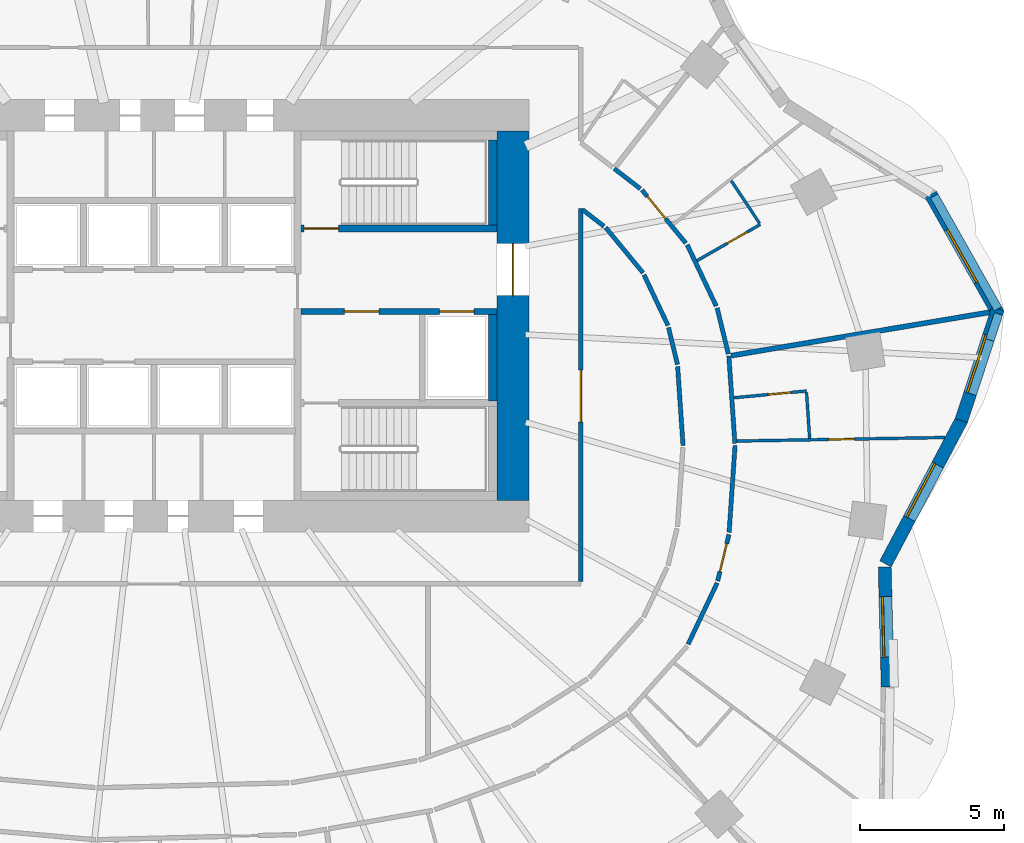
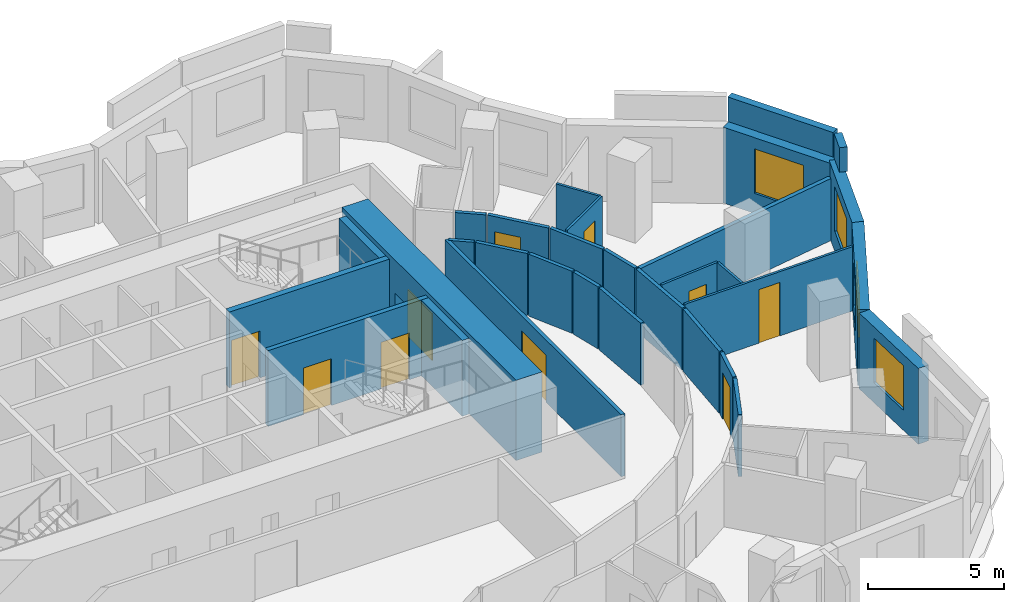
# One storey, part 7 of 11: 31 walls, 10 doors, 4 windows, 14 openings.
"""IFC4 building model written with IfcOpenShell, lengths in metres."""

from ifc_helpers import new_model, si_unit, direction, frame, frame_2d, origin, place, context, subcontext, project, spatial, rectangle, extrude, material, layer, layer_set, type_object, element, fill, save


model = new_model("IFC4")

# Units and contexts
model_context = context("Model", 3, precision=1e-05, world=origin(), true_north=direction((0.0, 1.0)))
body_context = subcontext(model_context, "Body", "Model", "MODEL_VIEW")
ifc_project = project(units=[si_unit("LENGTHUNIT", "METRE"), si_unit("AREAUNIT", "SQUARE_METRE"), si_unit("VOLUMEUNIT", "CUBIC_METRE"), si_unit("PLANEANGLEUNIT", "RADIAN"), si_unit("MASSUNIT", "GRAM", prefix="KILO")], contexts=[model_context])

# Site, building, storey
site_placement = place(None, origin())
site = spatial("IfcSite", under=ifc_project, at=site_placement, CompositionType="ELEMENT")
building_placement = place(site_placement, origin())
building = spatial("IfcBuilding", under=site, at=building_placement, Name="Rubra Terraces Tower", CompositionType="ELEMENT")
storey_placement = place(building_placement, frame((0.0, 0.0, 114.0)))
storey = spatial("IfcBuildingStorey", under=building, at=storey_placement, Name="L27", CompositionType="ELEMENT", Elevation=114.0)

# Wall
ifc_material_1 = material(Name="Twin plasterboard on staggered steel stud, acoustic mineral wool", Category="steel")
ifc_layer_1 = layer(ifc_material_1, 0.175048828125)
ifc_layer_set_1 = layer_set([ifc_layer_1], Name="Twin plasterboard on staggered steel stud, acoustic mineral wool")
wall_type_1 = type_object("IfcWallType", Name="ACOUSTIC PARTY WALL 175", PredefinedType="PARTITIONING", material=ifc_layer_set_1)
wall_1_placement = place(storey_placement, frame((28.982177734375, 4.61962890625, 0.0), z_axis=(0.0, 0.0, 1.0), x_axis=(-0.986212776012, -0.165482205785, 0.0)))
element("IfcWall", 1, at=wall_1_placement, inside=storey, type_object=wall_type_1, Name="PARTITION", PredefinedType="PARTITIONING", context=body_context, shape_type="SweptSolid", body=[
    extrude(rectangle(XDim=9.099853515625, YDim=0.175048828125, at=frame_2d((4.5498046875, 0.0))), origin(), (0.0, 0.0, 1.0), 2.783935546875),
])

# Wall, opening, window
ifc_material_2 = material(Name="Brick masonry red-brown", Category="masonry")
ifc_layer_2 = layer(ifc_material_2, 0.449951171875)
ifc_layer_set_2 = layer_set([ifc_layer_2], Name="Brick masonry red-brown")
wall_type_2 = type_object("IfcWallType", Name="Brick facade wall 450", PredefinedType="SOLIDWALL", material=ifc_layer_set_2)
wall_2_placement = place(storey_placement, frame((27.99462890625, 0.861083984375, 0.0), z_axis=(0.0, 0.0, 1.0), x_axis=(0.310693110673, 0.950510279261, 0.0)))
wall_2 = element("IfcWall", 2, at=wall_2_placement, inside=storey, type_object=wall_type_2, Name="Facade wall L27 bay 1", PredefinedType="SOLIDWALL", context=body_context, shape_type="SweptSolid", body=[
    extrude(rectangle(XDim=4.079833984375, YDim=0.449951171875, at=frame_2d((2.0400390625, 0.0))), origin(), (0.0, 0.0, 1.0), 3.39990234375),
])
opening_1_placement = place(wall_2_placement, frame((0.989990234375, 0.0, 0.89990234375)))
opening_1 = element("IfcOpeningElement", 3, at=opening_1_placement, cuts=wall_2, Name="Opening W1", PredefinedType="OPENING", context=body_context, shape_type="SweptSolid", body=[
    extrude(rectangle(XDim=2.10009765625, YDim=2.0, at=frame_2d((1.050048828125, 1.0))), frame((0.0, 0.23486328125, 0.0), z_axis=(0.0, -1.0, 0.0), x_axis=(1.0, 0.0, 0.0)), (0.0, 0.0, 1.0), 0.469970703125),
])
ifc_material_3 = material(Name="Clear glass in aluminium frame", Category="aluminium")
window_type = type_object("IfcWindowType", Name="Fixed deep-set window 2100 x 2000", PartitioningType="SINGLE_PANEL", PredefinedType="WINDOW", material=ifc_material_3)
window_1_placement = place(opening_1_placement, origin())
window_1 = element("IfcWindow", 4, at=window_1_placement, inside=storey, type_object=window_type, Name="Window L27 bay 1", OverallHeight=2.0, OverallWidth=2.10009765625, PartitioningType="SINGLE_PANEL", PredefinedType="WINDOW", context=body_context, shape_type="SweptSolid", body=[
    extrude(rectangle(XDim=2.10009765625, YDim=2.0, at=frame_2d((1.050048828125, 1.0))), frame((0.0, 0.135009765625, 0.0), z_axis=(0.0, -1.0, 0.0), x_axis=(1.0, 0.0, 0.0)), (0.0, 0.0, 1.0), 0.06005859375),
])
fill(opening_1, window_1)

wall_3_placement = place(storey_placement, frame((29.280029296875, 4.558349609375, 0.0), z_axis=(0.0, 0.0, 1.0), x_axis=(-0.491511608999, 0.870871022723, 0.0)))
wall_3 = element("IfcWall", 5, at=wall_3_placement, inside=storey, type_object=wall_type_2, Name="Facade wall L27 bay 2", PredefinedType="SOLIDWALL", context=body_context, shape_type="SweptSolid", body=[
    extrude(rectangle(XDim=4.762939453125, YDim=0.449951171875, at=frame_2d((2.38134765625, 0.0))), origin(), (0.0, 0.0, 1.0), 3.39990234375),
])
opening_2_placement = place(wall_3_placement, frame((1.33154296875, 0.0, 0.89990234375)))
opening_2 = element("IfcOpeningElement", 6, at=opening_2_placement, cuts=wall_3, Name="Opening W1", PredefinedType="OPENING", context=body_context, shape_type="SweptSolid", body=[
    extrude(rectangle(XDim=2.10009765625, YDim=2.0, at=frame_2d((1.050048828125, 1.0))), frame((0.0, 0.23486328125, 0.0), z_axis=(0.0, -1.0, 0.0), x_axis=(1.0, 0.0, 0.0)), (0.0, 0.0, 1.0), 0.469970703125),
])
window_2_placement = place(opening_2_placement, origin())
window_2 = element("IfcWindow", 7, at=window_2_placement, inside=storey, type_object=window_type, Name="Window L27 bay 2", OverallHeight=2.0, OverallWidth=2.10009765625, PartitioningType="SINGLE_PANEL", PredefinedType="WINDOW", context=body_context, shape_type="SweptSolid", body=[
    extrude(rectangle(XDim=2.10009765625, YDim=2.0, at=frame_2d((1.050048828125, 1.0))), frame((0.0, 0.135009765625, 0.0), z_axis=(0.0, -1.0, 0.0), x_axis=(1.0, 0.0, 0.0)), (0.0, 0.0, 1.0), 0.06005859375),
])
fill(opening_2, window_2)

wall_4_placement = place(storey_placement, frame((25.44091796875, -8.375, 0.0), z_axis=(0.0, 0.0, 1.0), x_axis=(-0.024385850259, 0.999702620936, 0.0)))
wall_4 = element("IfcWall", 8, at=wall_4_placement, inside=storey, type_object=wall_type_2, Name="Facade wall L27 bay 39", PredefinedType="SOLIDWALL", context=body_context, shape_type="SweptSolid", body=[
    extrude(rectangle(XDim=4.164794921875, YDim=0.449951171875, at=frame_2d((2.08251953125, 0.0))), origin(), (0.0, 0.0, 1.0), 3.39990234375),
])
opening_3_placement = place(wall_4_placement, frame((1.032470703125, 0.0, 0.89990234375)))
opening_3 = element("IfcOpeningElement", 9, at=opening_3_placement, cuts=wall_4, Name="Opening W1", PredefinedType="OPENING", context=body_context, shape_type="SweptSolid", body=[
    extrude(rectangle(XDim=2.10009765625, YDim=2.0, at=frame_2d((1.050048828125, 1.0))), frame((0.0, 0.23486328125, 0.0), z_axis=(0.0, -1.0, 0.0), x_axis=(1.0, 0.0, 0.0)), (0.0, 0.0, 1.0), 0.469970703125),
])
window_3_placement = place(opening_3_placement, origin())
window_3 = element("IfcWindow", 10, at=window_3_placement, inside=storey, type_object=window_type, Name="Window L27 bay 39", OverallHeight=2.0, OverallWidth=2.10009765625, PartitioningType="SINGLE_PANEL", PredefinedType="WINDOW", context=body_context, shape_type="SweptSolid", body=[
    extrude(rectangle(XDim=2.10009765625, YDim=2.0, at=frame_2d((1.050048828125, 1.0))), frame((0.0, 0.135009765625, 0.0), z_axis=(0.0, -1.0, 0.0), x_axis=(1.0, 0.0, 0.0)), (0.0, 0.0, 1.0), 0.06005859375),
])
fill(opening_3, window_3)

wall_5_placement = place(storey_placement, frame((25.365478515625, -4.10693359375, 0.0), z_axis=(0.0, 0.0, 1.0), x_axis=(0.467239399168, 0.884130840919, 0.0)))
wall_5 = element("IfcWall", 11, at=wall_5_placement, inside=storey, type_object=wall_type_2, Name="Facade wall L27 bay 40", PredefinedType="SOLIDWALL", context=body_context, shape_type="SweptSolid", body=[
    extrude(rectangle(XDim=5.658935546875, YDim=0.449951171875, at=frame_2d((2.82958984375, 0.0))), origin(), (0.0, 0.0, 1.0), 3.39990234375),
])
opening_4_placement = place(wall_5_placement, frame((1.779296875, 0.0, 0.89990234375)))
opening_4 = element("IfcOpeningElement", 12, at=opening_4_placement, cuts=wall_5, Name="Opening W1", PredefinedType="OPENING", context=body_context, shape_type="SweptSolid", body=[
    extrude(rectangle(XDim=2.10009765625, YDim=2.0, at=frame_2d((1.050048828125, 1.0))), frame((0.0, 0.23486328125, 0.0), z_axis=(0.0, -1.0, 0.0), x_axis=(1.0, 0.0, 0.0)), (0.0, 0.0, 1.0), 0.469970703125),
])
window_4_placement = place(opening_4_placement, origin())
window_4 = element("IfcWindow", 13, at=window_4_placement, inside=storey, type_object=window_type, Name="Window L27 bay 40", OverallHeight=2.0, OverallWidth=2.10009765625, PartitioningType="SINGLE_PANEL", PredefinedType="WINDOW", context=body_context, shape_type="SweptSolid", body=[
    extrude(rectangle(XDim=2.10009765625, YDim=2.0, at=frame_2d((1.050048828125, 1.0))), frame((0.0, 0.135009765625, 0.0), z_axis=(0.0, -1.0, 0.0), x_axis=(1.0, 0.0, 0.0)), (0.0, 0.0, 1.0), 0.06005859375),
])
fill(opening_4, window_4)

# Walls
ifc_layer_3 = layer(ifc_material_2, 0.300048828125)
ifc_layer_set_3 = layer_set([ifc_layer_3], Name="Brick masonry red-brown")
wall_type_3 = type_object("IfcWallType", Name="Brick parapet 300", PredefinedType="PARAPET", material=ifc_layer_set_3)
wall_6_placement = place(storey_placement, frame((28.987548828125, 3.657470703125, 3.60009765625), z_axis=(0.0, 0.0, 1.0), x_axis=(0.310832502734, 0.950464704891, 0.0)))
element("IfcWall", 14, at=wall_6_placement, inside=storey, type_object=wall_type_3, Name="Parapet L27 bay 1", PredefinedType="PARAPET", context=body_context, shape_type="SweptSolid", body=[
    extrude(rectangle(XDim=0.951171875, YDim=0.300048828125, at=frame_2d((0.4755859375, 0.0))), origin(), (0.0, 0.0, 1.0), 1.099853515625),
])
wall_7_placement = place(storey_placement, frame((29.265625, 4.736572265625, 3.60009765625), z_axis=(0.0, 0.0, 1.0), x_axis=(-0.491480740547, 0.870888443873, 0.0)))
element("IfcWall", 15, at=wall_7_placement, inside=storey, type_object=wall_type_3, Name="Parapet L27 bay 2", PredefinedType="PARAPET", context=body_context, shape_type="SweptSolid", body=[
    extrude(rectangle(XDim=4.494140625, YDim=0.300048828125, at=frame_2d((2.2470703125, 0.0))), origin(), (0.0, 0.0, 1.0), 1.099853515625),
])

# Wall, opening, door
ifc_material_4 = material(Name="Concrete C60", Category="concrete")
ifc_layer_4 = layer(ifc_material_4, 1.10009765625)
ifc_layer_set_4 = layer_set([ifc_layer_4], Name="Concrete C60")
wall_type_4 = type_object("IfcWallType", Name="CORE WALL 1100 C60", PredefinedType="SHEAR", material=ifc_layer_set_4)
wall_8_placement = place(storey_placement, frame((12.449951171875, -1.89990234375, 0.0), z_axis=(0.0, 0.0, 1.0), x_axis=(0.0, 1.0, 0.0)))
wall_8 = element("IfcWall", 16, at=wall_8_placement, inside=storey, type_object=wall_type_4, Name="CORE WALL E L27", PredefinedType="SHEAR", context=body_context, shape_type="SweptSolid", body=[
    extrude(rectangle(XDim=12.7998046875, YDim=1.10009765625, at=frame_2d((6.39990234375, 0.0))), origin(), (0.0, 0.0, 1.0), 3.60009765625),
])
opening_5_placement = place(wall_8_placement, frame((7.10009765625, 0.0, 0.0)))
opening_5 = element("IfcOpeningElement", 17, at=opening_5_placement, cuts=wall_8, Name="Opening L27.C02", PredefinedType="OPENING", context=body_context, shape_type="SweptSolid", body=[
    extrude(rectangle(XDim=1.800048828125, YDim=2.10009765625, at=frame_2d((0.89990234375, 1.050048828125))), frame((0.0, 0.56005859375, 0.0), z_axis=(0.0, -1.0, 0.0), x_axis=(1.0, 0.0, 0.0)), (0.0, 0.0, 1.0), 1.1201171875),
])
ifc_material_5 = material(Name="Painted steel", Category="steel")
door_type_1 = type_object("IfcDoorType", Name="Fire door 1800x2100 double", OperationType="NOTDEFINED", PredefinedType="DOOR", material=ifc_material_5)
door_1_placement = place(opening_5_placement, origin())
door_1 = element("IfcDoor", 18, at=door_1_placement, inside=storey, type_object=door_type_1, Name="Core entrance door FF2", OperationType="DOUBLE_DOOR_SINGLE_SWING", OverallHeight=2.10009765625, OverallWidth=1.800048828125, PredefinedType="DOOR", context=body_context, shape_type="SweptSolid", body=[
    extrude(rectangle(XDim=1.800048828125, YDim=2.10009765625, at=frame_2d((0.89990234375, 1.050048828125))), frame((0.0, 0.02490234375, 0.0), z_axis=(0.0, -1.0, 0.0), x_axis=(1.0, 0.0, 0.0)), (0.0, 0.0, 1.0), 0.050048828125),
])
fill(opening_5, door_1)

# Wall
ifc_material_6 = material(Name="Plasterboard on steel stud, mineral wool infill", Category="steel")
ifc_layer_5 = layer(ifc_material_6, 0.14990234375)
ifc_layer_set_5 = layer_set([ifc_layer_5], Name="Plasterboard on steel stud, mineral wool infill")
wall_type_5 = type_object("IfcWallType", Name="CORRIDOR PARTITION 150", PredefinedType="PARTITIONING", material=ifc_layer_set_5)
wall_9_placement = place(storey_placement, frame((18.521728515625, -6.891357421875, 0.0), z_axis=(0.0, 0.0, 1.0), x_axis=(0.428157819028, 0.903703979191, 0.0)))
element("IfcWall", 19, at=wall_9_placement, inside=storey, type_object=wall_type_5, Name="PARTITION", PredefinedType="PARTITIONING", context=body_context, shape_type="SweptSolid", body=[
    extrude(rectangle(XDim=2.349365234375, YDim=0.14990234375, at=frame_2d((1.1748046875, 0.0))), origin(), (0.0, 0.0, 1.0), 2.783935546875),
])

# Wall, opening, door
wall_10_placement = place(storey_placement, frame((19.54541015625, -4.695556640625, 0.0), z_axis=(0.0, 0.0, 1.0), x_axis=(0.23674251562, 0.971572427201, 0.0)))
wall_10 = element("IfcWall", 20, at=wall_10_placement, inside=storey, type_object=wall_type_5, Name="PARTITION", PredefinedType="PARTITIONING", context=body_context, shape_type="SweptSolid", body=[
    extrude(rectangle(XDim=1.6572265625, YDim=0.14990234375, at=frame_2d((0.82861328125, 0.0))), origin(), (0.0, 0.0, 1.0), 2.783935546875),
])
opening_6_placement = place(wall_10_placement, frame((0.327880859375, 0.0, 0.0)))
opening_6 = element("IfcOpeningElement", 21, at=opening_6_placement, cuts=wall_10, Name="Opening 27-111", PredefinedType="OPENING", context=body_context, shape_type="SweptSolid", body=[
    extrude(rectangle(XDim=1.0, YDim=2.10009765625, at=frame_2d((0.5, 1.050048828125))), frame((0.0, 0.0849609375, 0.0), z_axis=(0.0, -1.0, 0.0), x_axis=(1.0, 0.0, 0.0)), (0.0, 0.0, 1.0), 0.169921875),
])
ifc_material_7 = material(Name="Painted timber door leaf", Category="wood")
door_type_2 = type_object("IfcDoorType", Name="ROOM DOOR 1000 X 2100", OperationType="SINGLE_SWING_LEFT", PredefinedType="DOOR", material=ifc_material_7)
door_2_placement = place(opening_6_placement, origin())
door_2 = element("IfcDoor", 22, at=door_2_placement, inside=storey, type_object=door_type_2, Name="DOOR 27-111", OperationType="SINGLE_SWING_RIGHT", OverallHeight=2.10009765625, OverallWidth=1.0, PredefinedType="DOOR", context=body_context, shape_type="SweptSolid", body=[
    extrude(rectangle(XDim=1.0, YDim=2.10009765625, at=frame_2d((0.5, 1.050048828125))), frame((0.0, 0.02490234375, 0.0), z_axis=(0.0, -1.0, 0.0), x_axis=(1.0, 0.0, 0.0)), (0.0, 0.0, 1.0), 0.050048828125),
])
fill(opening_6, door_2)

# Walls
wall_11_placement = place(storey_placement, frame((19.94287109375, -3.0107421875, 0.0), z_axis=(0.0, 0.0, 1.0), x_axis=(0.068280105787, 0.997666190243, 0.0)))
element("IfcWall", 23, at=wall_11_placement, inside=storey, type_object=wall_type_5, Name="PARTITION", PredefinedType="PARTITIONING", context=body_context, shape_type="SweptSolid", body=[
    extrude(rectangle(XDim=3.017822265625, YDim=0.14990234375, at=frame_2d((1.5087890625, 0.0))), origin(), (0.0, 0.0, 1.0), 2.783935546875),
])
wall_12_placement = place(storey_placement, frame((20.143798828125, 0.07470703125, 0.0), z_axis=(0.0, 0.0, 1.0), x_axis=(-0.069205299479, 0.997602439113, 0.0)))
element("IfcWall", 24, at=wall_12_placement, inside=storey, type_object=wall_type_5, Name="PARTITION", PredefinedType="PARTITIONING", context=body_context, shape_type="SweptSolid", body=[
    extrude(rectangle(XDim=3.033935546875, YDim=0.14990234375, at=frame_2d((1.51708984375, 0.0))), origin(), (0.0, 0.0, 1.0), 2.783935546875),
])
wall_13_placement = place(storey_placement, frame((19.916015625, 3.17431640625, 0.0), z_axis=(0.0, 0.0, 1.0), x_axis=(-0.236754059757, 0.971569614175, 0.0)))
element("IfcWall", 25, at=wall_13_placement, inside=storey, type_object=wall_type_5, Name="PARTITION", PredefinedType="PARTITIONING", context=body_context, shape_type="SweptSolid", body=[
    extrude(rectangle(XDim=1.640625, YDim=0.14990234375, at=frame_2d((0.8203125, 0.0))), origin(), (0.0, 0.0, 1.0), 2.783935546875),
])
wall_14_placement = place(storey_placement, frame((19.495361328125, 4.836181640625, 0.0), z_axis=(0.0, 0.0, 1.0), x_axis=(-0.428157819028, 0.903703979191, 0.0)))
element("IfcWall", 26, at=wall_14_placement, inside=storey, type_object=wall_type_5, Name="PARTITION", PredefinedType="PARTITIONING", context=body_context, shape_type="SweptSolid", body=[
    extrude(rectangle(XDim=2.349365234375, YDim=0.14990234375, at=frame_2d((1.1748046875, 0.0))), origin(), (0.0, 0.0, 1.0), 2.783935546875),
])

# Wall, opening, door
wall_15_placement = place(storey_placement, frame((18.44189453125, 7.01708984375, 0.0), z_axis=(0.0, 0.0, 1.0), x_axis=(-0.636538018119, 0.7712453251, 0.0)))
wall_15 = element("IfcWall", 27, at=wall_15_placement, inside=storey, type_object=wall_type_5, Name="PARTITION", PredefinedType="PARTITIONING", context=body_context, shape_type="SweptSolid", body=[
    extrude(rectangle(XDim=2.388671875, YDim=0.14990234375, at=frame_2d((1.1943359375, 0.0))), origin(), (0.0, 0.0, 1.0), 2.783935546875),
])
opening_7_placement = place(wall_15_placement, frame((1.10009765625, 0.0, 0.0)))
opening_7 = element("IfcOpeningElement", 28, at=opening_7_placement, cuts=wall_15, Name="Opening 27-114", PredefinedType="OPENING", context=body_context, shape_type="SweptSolid", body=[
    extrude(rectangle(XDim=1.0, YDim=2.10009765625, at=frame_2d((0.5, 1.050048828125))), frame((0.0, 0.0849609375, 0.0), z_axis=(0.0, -1.0, 0.0), x_axis=(1.0, 0.0, 0.0)), (0.0, 0.0, 1.0), 0.169921875),
])
door_3_placement = place(opening_7_placement, origin())
door_3 = element("IfcDoor", 29, at=door_3_placement, inside=storey, type_object=door_type_2, Name="DOOR 27-114", OperationType="SINGLE_SWING_RIGHT", OverallHeight=2.10009765625, OverallWidth=1.0, PredefinedType="DOOR", context=body_context, shape_type="SweptSolid", body=[
    extrude(rectangle(XDim=1.0, YDim=2.10009765625, at=frame_2d((0.5, 1.050048828125))), frame((0.0, 0.02490234375, 0.0), z_axis=(0.0, -1.0, 0.0), x_axis=(1.0, 0.0, 0.0)), (0.0, 0.0, 1.0), 0.050048828125),
])
fill(opening_7, door_3)

# Walls
wall_16_placement = place(storey_placement, frame((16.86181640625, 8.905029296875, 0.0), z_axis=(0.0, 0.0, 1.0), x_axis=(-0.791557659363, 0.611094486888, 0.0)))
element("IfcWall", 30, at=wall_16_placement, inside=storey, type_object=wall_type_5, Name="PARTITION", PredefinedType="PARTITIONING", context=body_context, shape_type="SweptSolid", body=[
    extrude(rectangle(XDim=1.141845703125, YDim=0.14990234375, at=frame_2d((0.57080078125, 0.0))), origin(), (0.0, 0.0, 1.0), 2.783935546875),
])
wall_17_placement = place(storey_placement, frame((15.66162109375, 7.557861328125, 0.0), z_axis=(0.0, 0.0, 1.0), x_axis=(0.636500564941, -0.7712762351, 0.0)))
element("IfcWall", 31, at=wall_17_placement, inside=storey, type_object=wall_type_5, Name="PARTITION", PredefinedType="PARTITIONING", context=body_context, shape_type="SweptSolid", body=[
    extrude(rectangle(XDim=2.037841796875, YDim=0.14990234375, at=frame_2d((1.01904296875, 0.0))), origin(), (0.0, 0.0, 1.0), 2.783935546875),
])
wall_18_placement = place(storey_placement, frame((16.990966796875, 5.918212890625, 0.0), z_axis=(0.0, 0.0, 1.0), x_axis=(0.428199863362, -0.903684058185, 0.0)))
element("IfcWall", 32, at=wall_18_placement, inside=storey, type_object=wall_type_5, Name="PARTITION", PredefinedType="PARTITIONING", context=body_context, shape_type="SweptSolid", body=[
    extrude(rectangle(XDim=1.94140625, YDim=0.14990234375, at=frame_2d((0.970703125, 0.0))), origin(), (0.0, 0.0, 1.0), 2.783935546875),
])
wall_19_placement = place(storey_placement, frame((17.840087890625, 4.0908203125, 0.0), z_axis=(0.0, 0.0, 1.0), x_axis=(0.236653741324, -0.971594054489, 0.0)))
element("IfcWall", 33, at=wall_19_placement, inside=storey, type_object=wall_type_5, Name="PARTITION", PredefinedType="PARTITIONING", context=body_context, shape_type="SweptSolid", body=[
    extrude(rectangle(XDim=1.319580078125, YDim=0.14990234375, at=frame_2d((0.65966796875, 0.0))), origin(), (0.0, 0.0, 1.0), 2.783935546875),
])
wall_20_placement = place(storey_placement, frame((18.157470703125, 2.734130859375, 0.0), z_axis=(0.0, 0.0, 1.0), x_axis=(0.068328193832, -0.997662897941, 0.0)))
element("IfcWall", 34, at=wall_20_placement, inside=storey, type_object=wall_type_5, Name="PARTITION", PredefinedType="PARTITIONING", context=body_context, shape_type="SweptSolid", body=[
    extrude(rectangle(XDim=2.740478515625, YDim=0.14990234375, at=frame_2d((1.3701171875, 0.0))), origin(), (0.0, 0.0, 1.0), 2.783935546875),
])

# Wall, opening, door
wall_21_placement = place(storey_placement, frame((14.800048828125, -4.72509765625, 0.0), z_axis=(0.0, 0.0, 1.0), x_axis=(0.0, 1.0, 0.0)))
wall_21 = element("IfcWall", 35, at=wall_21_placement, inside=storey, type_object=wall_type_5, Name="PARTITION", PredefinedType="PARTITIONING", context=body_context, shape_type="SweptSolid", body=[
    extrude(rectangle(XDim=12.947998046875, YDim=0.14990234375, at=frame_2d((6.47412109375, 0.0))), origin(), (0.0, 0.0, 1.0), 2.783935546875),
])
opening_8_placement = place(wall_21_placement, frame((5.535888671875, 0.0, 0.0)))
opening_8 = element("IfcOpeningElement", 36, at=opening_8_placement, cuts=wall_21, Name="Opening 27-136", PredefinedType="OPENING", context=body_context, shape_type="SweptSolid", body=[
    extrude(rectangle(XDim=1.800048828125, YDim=2.10009765625, at=frame_2d((0.89990234375, 1.050048828125))), frame((0.0, 0.0849609375, 0.0), z_axis=(0.0, -1.0, 0.0), x_axis=(1.0, 0.0, 0.0)), (0.0, 0.0, 1.0), 0.169921875),
])
ifc_material_8 = material(Name="Painted timber door leaf, double", Category="wood")
door_type_3 = type_object("IfcDoorType", Name="ROOM DOUBLE DOOR 1800 X 2100", OperationType="DOUBLE_DOOR_SINGLE_SWING", PredefinedType="DOOR", material=ifc_material_8)
door_4_placement = place(opening_8_placement, origin())
door_4 = element("IfcDoor", 37, at=door_4_placement, inside=storey, type_object=door_type_3, Name="DOOR 27-136", OperationType="DOUBLE_DOOR_SINGLE_SWING", OverallHeight=2.10009765625, OverallWidth=1.800048828125, PredefinedType="DOOR", context=body_context, shape_type="SweptSolid", body=[
    extrude(rectangle(XDim=1.800048828125, YDim=2.10009765625, at=frame_2d((0.89990234375, 1.050048828125))), frame((0.0, 0.02490234375, 0.0), z_axis=(0.0, -1.0, 0.0), x_axis=(1.0, 0.0, 0.0)), (0.0, 0.0, 1.0), 0.050048828125),
])
fill(opening_8, door_4)

# Walls
wall_22_placement = place(storey_placement, frame((14.859375, 8.177001953125, 0.0), z_axis=(0.0, 0.0, 1.0), x_axis=(0.791588113465, -0.611055037309, 0.0)))
element("IfcWall", 38, at=wall_22_placement, inside=storey, type_object=wall_type_5, Name="PARTITION", PredefinedType="PARTITIONING", context=body_context, shape_type="SweptSolid", body=[
    extrude(rectangle(XDim=0.9384765625, YDim=0.14990234375, at=frame_2d((0.46923828125, 0.0))), origin(), (0.0, 0.0, 1.0), 2.783935546875),
])
ifc_material_9 = material(Name="Concrete C40", Category="concrete")
ifc_layer_6 = layer(ifc_material_9, 0.300048828125)
ifc_layer_set_6 = layer_set([ifc_layer_6], Name="Concrete C40")
wall_type_6 = type_object("IfcWallType", Name="Core lining wall 300 concrete", PredefinedType="SOLIDWALL", material=ifc_layer_set_6)
wall_23_placement = place(storey_placement, frame((11.75, 10.60009765625, 0.0), z_axis=(0.0, 0.0, 1.0), x_axis=(0.0, -1.0, 0.0)))
element("IfcWall", 39, at=wall_23_placement, inside=storey, type_object=wall_type_6, Name="CORE LINING WALL L27", PredefinedType="SOLIDWALL", context=body_context, shape_type="SweptSolid", body=[
    extrude(rectangle(XDim=2.9501953125, YDim=0.300048828125, at=frame_2d((1.47509765625, 0.0))), origin(), (0.0, 0.0, 1.0), 3.39990234375),
])
wall_24_placement = place(storey_placement, frame((11.75, 4.550048828125, 0.0), z_axis=(0.0, 0.0, 1.0), x_axis=(0.0, -1.0, 0.0)))
element("IfcWall", 40, at=wall_24_placement, inside=storey, type_object=wall_type_6, Name="CORE LINING WALL L27", PredefinedType="SOLIDWALL", context=body_context, shape_type="SweptSolid", body=[
    extrude(rectangle(XDim=3.0, YDim=0.300048828125, at=frame_2d((1.5, 0.0))), origin(), (0.0, 0.0, 1.0), 3.39990234375),
])

# Wall, openings, doors
ifc_material_10 = material(Name="Concrete C30", Category="concrete")
ifc_layer_7 = layer(ifc_material_10, 0.199951171875)
ifc_layer_set_7 = layer_set([ifc_layer_7], Name="Concrete C30")
wall_type_7 = type_object("IfcWallType", Name="Core wall 200 concrete", PredefinedType="SOLIDWALL", material=ifc_layer_set_7)
wall_25_placement = place(storey_placement, frame((11.89990234375, 4.64990234375, 0.0), z_axis=(0.0, 0.0, 1.0), x_axis=(-1.0, 0.0, 0.0)))
wall_25 = element("IfcWall", 41, at=wall_25_placement, inside=storey, type_object=wall_type_7, Name="STAIR WALL L27", PredefinedType="SOLIDWALL", context=body_context, shape_type="SweptSolid", body=[
    extrude(rectangle(XDim=6.7998046875, YDim=0.199951171875, at=frame_2d((3.39990234375, 0.0))), origin(), (0.0, 0.0, 1.0), 3.39990234375),
])
opening_9_placement = place(wall_25_placement, frame((4.10009765625, 0.0, 0.0)))
opening_9 = element("IfcOpeningElement", 42, at=opening_9_placement, cuts=wall_25, Name="Opening L27.C06", PredefinedType="OPENING", context=body_context, shape_type="SweptSolid", body=[
    extrude(rectangle(XDim=1.199951171875, YDim=2.10009765625, at=frame_2d((0.60009765625, 1.050048828125))), frame((0.0, 0.10986328125, 0.0), z_axis=(0.0, -1.0, 0.0), x_axis=(1.0, 0.0, 0.0)), (0.0, 0.0, 1.0), 0.219970703125),
])
opening_10_placement = place(wall_25_placement, frame((0.800048828125, 0.0, 0.0)))
opening_10 = element("IfcOpeningElement", 43, at=opening_10_placement, cuts=wall_25, Name="Opening L27.C12", PredefinedType="OPENING", context=body_context, shape_type="SweptSolid", body=[
    extrude(rectangle(XDim=1.199951171875, YDim=2.10009765625, at=frame_2d((0.60009765625, 1.050048828125))), frame((0.0, 0.10986328125, 0.0), z_axis=(0.0, -1.0, 0.0), x_axis=(1.0, 0.0, 0.0)), (0.0, 0.0, 1.0), 0.219970703125),
])
door_type_4 = type_object("IfcDoorType", Name="Fire door 1200x2100 single", OperationType="NOTDEFINED", PredefinedType="DOOR", material=ifc_material_5)
door_5_placement = place(opening_9_placement, origin())
door_5 = element("IfcDoor", 44, at=door_5_placement, inside=storey, type_object=door_type_4, Name="Stair vestibule door S4", OperationType="SINGLE_SWING_RIGHT", OverallHeight=2.10009765625, OverallWidth=1.199951171875, PredefinedType="DOOR", context=body_context, shape_type="SweptSolid", body=[
    extrude(rectangle(XDim=1.199951171875, YDim=2.10009765625, at=frame_2d((0.60009765625, 1.050048828125))), frame((0.0, 0.02490234375, 0.0), z_axis=(0.0, -1.0, 0.0), x_axis=(1.0, 0.0, 0.0)), (0.0, 0.0, 1.0), 0.050048828125),
])
fill(opening_9, door_5)
ifc_material_11 = material(Name="Stainless steel", Category="steel")
door_type_5 = type_object("IfcDoorType", Name="Lift landing door 1200x2100", OperationType="NOTDEFINED", PredefinedType="DOOR", material=ifc_material_11)
door_6_placement = place(opening_10_placement, origin())
door_6 = element("IfcDoor", 45, at=door_6_placement, inside=storey, type_object=door_type_5, Name="Landing door FF2", OperationType="SLIDING_TO_RIGHT", OverallHeight=2.10009765625, OverallWidth=1.199951171875, PredefinedType="DOOR", context=body_context, shape_type="SweptSolid", body=[
    extrude(rectangle(XDim=1.199951171875, YDim=2.10009765625, at=frame_2d((0.60009765625, 1.050048828125))), frame((0.0, 0.02490234375, 0.0), z_axis=(0.0, -1.0, 0.0), x_axis=(1.0, 0.0, 0.0)), (0.0, 0.0, 1.0), 0.050048828125),
])
fill(opening_10, door_6)

# Wall, opening, door
ifc_material_12 = material(Name="Plasterboard on steel stud", Category="steel")
ifc_layer_8 = layer(ifc_material_12, 0.10009765625)
ifc_layer_set_8 = layer_set([ifc_layer_8], Name="Plasterboard on steel stud")
wall_type_8 = type_object("IfcWallType", Name="ROOM PARTITION 100", PredefinedType="PARTITIONING", material=ifc_layer_set_8)
wall_26_placement = place(storey_placement, frame((27.4228515625, 0.276123046875, 0.0), z_axis=(0.0, 0.0, 1.0), x_axis=(-0.999854383927, -0.01706490381, 0.0)))
wall_26 = element("IfcWall", 46, at=wall_26_placement, inside=storey, type_object=wall_type_8, Name="PARTITION", PredefinedType="PARTITIONING", context=body_context, shape_type="SweptSolid", body=[
    extrude(rectangle(XDim=7.21044921875, YDim=0.10009765625, at=frame_2d((3.605224609375, 0.0))), origin(), (0.0, 0.0, 1.0), 2.884033203125),
])
opening_11_placement = place(wall_26_placement, frame((3.135986328125, 0.0, 0.0)))
opening_11 = element("IfcOpeningElement", 47, at=opening_11_placement, cuts=wall_26, Name="Opening 27-110", PredefinedType="OPENING", context=body_context, shape_type="SweptSolid", body=[
    extrude(rectangle(XDim=0.89990234375, YDim=2.39990234375, at=frame_2d((0.449951171875, 1.199951171875))), frame((0.0, 0.06005859375, 0.0), z_axis=(0.0, -1.0, 0.0), x_axis=(1.0, 0.0, 0.0)), (0.0, 0.0, 1.0), 0.1201171875),
])
ifc_material_13 = material(Name="Veneered timber door leaf, fire-rated", Category="wood")
door_type_6 = type_object("IfcDoorType", Name="SUITE ENTRANCE DOOR 900 X 2400", OperationType="SINGLE_SWING_LEFT", PredefinedType="DOOR", material=ifc_material_13)
door_7_placement = place(opening_11_placement, origin())
door_7 = element("IfcDoor", 48, at=door_7_placement, inside=storey, type_object=door_type_6, Name="DOOR 27-110", OperationType="SINGLE_SWING_LEFT", OverallHeight=2.39990234375, OverallWidth=0.89990234375, PredefinedType="DOOR", context=body_context, shape_type="SweptSolid", body=[
    extrude(rectangle(XDim=0.89990234375, YDim=2.39990234375, at=frame_2d((0.449951171875, 1.199951171875))), frame((0.0, 0.02490234375, 0.0), z_axis=(0.0, -1.0, 0.0), x_axis=(1.0, 0.0, 0.0)), (0.0, 0.0, 1.0), 0.050048828125),
])
fill(opening_11, door_7)

wall_27_placement = place(storey_placement, frame((20.11083984375, 1.655029296875, 0.0), z_axis=(0.0, 0.0, 1.0), x_axis=(0.995700801231, 0.092627827499, 0.0)))
wall_27 = element("IfcWall", 49, at=wall_27_placement, inside=storey, type_object=wall_type_8, Name="PARTITION", PredefinedType="PARTITIONING", context=body_context, shape_type="SweptSolid", body=[
    extrude(rectangle(XDim=2.52490234375, YDim=0.10009765625, at=frame_2d((1.262451171875, 0.0))), origin(), (0.0, 0.0, 1.0), 2.884033203125),
])
opening_12_placement = place(wall_27_placement, frame((1.199951171875, 0.0, 0.0)))
opening_12 = element("IfcOpeningElement", 50, at=opening_12_placement, cuts=wall_27, Name="Opening 27-108", PredefinedType="OPENING", context=body_context, shape_type="SweptSolid", body=[
    extrude(rectangle(XDim=0.800048828125, YDim=2.10009765625, at=frame_2d((0.39990234375, 1.050048828125))), frame((0.0, 0.06005859375, 0.0), z_axis=(0.0, -1.0, 0.0), x_axis=(1.0, 0.0, 0.0)), (0.0, 0.0, 1.0), 0.1201171875),
])
door_type_7 = type_object("IfcDoorType", Name="BATHROOM DOOR 800 X 2100", OperationType="SINGLE_SWING_LEFT", PredefinedType="DOOR", material=ifc_material_7)
door_8_placement = place(opening_12_placement, origin())
door_8 = element("IfcDoor", 51, at=door_8_placement, inside=storey, type_object=door_type_7, Name="DOOR 27-108", OperationType="SINGLE_SWING_LEFT", OverallHeight=2.10009765625, OverallWidth=0.800048828125, PredefinedType="DOOR", context=body_context, shape_type="SweptSolid", body=[
    extrude(rectangle(XDim=0.800048828125, YDim=2.10009765625, at=frame_2d((0.39990234375, 1.050048828125))), frame((0.0, 0.02490234375, 0.0), z_axis=(0.0, -1.0, 0.0), x_axis=(1.0, 0.0, 0.0)), (0.0, 0.0, 1.0), 0.050048828125),
])
fill(opening_12, door_8)

# Wall
wall_28_placement = place(storey_placement, frame((22.628173828125, 1.839111328125, 0.0), z_axis=(0.0, 0.0, 1.0), x_axis=(0.066823482499, -0.997764813063, 0.0)))
element("IfcWall", 52, at=wall_28_placement, inside=storey, type_object=wall_type_8, Name="PARTITION", PredefinedType="PARTITIONING", context=body_context, shape_type="SweptSolid", body=[
    extrude(rectangle(XDim=1.5966796875, YDim=0.10009765625, at=frame_2d((0.79833984375, 0.0))), origin(), (0.0, 0.0, 1.0), 2.884033203125),
])

# Wall, opening, door
wall_29_placement = place(storey_placement, frame((18.83203125, 6.410888671875, 0.0), z_axis=(0.0, 0.0, 1.0), x_axis=(0.868153878404, 0.496295117256, 0.0)))
wall_29 = element("IfcWall", 53, at=wall_29_placement, inside=storey, type_object=wall_type_8, Name="PARTITION", PredefinedType="PARTITIONING", context=body_context, shape_type="SweptSolid", body=[
    extrude(rectangle(XDim=2.525146484375, YDim=0.10009765625, at=frame_2d((1.2626953125, 0.0))), origin(), (0.0, 0.0, 1.0), 2.884033203125),
])
opening_13_placement = place(wall_29_placement, frame((1.199951171875, 0.0, 0.0)))
opening_13 = element("IfcOpeningElement", 54, at=opening_13_placement, cuts=wall_29, Name="Opening 27-112", PredefinedType="OPENING", context=body_context, shape_type="SweptSolid", body=[
    extrude(rectangle(XDim=0.800048828125, YDim=2.10009765625, at=frame_2d((0.39990234375, 1.050048828125))), frame((0.0, 0.06005859375, 0.0), z_axis=(0.0, -1.0, 0.0), x_axis=(1.0, 0.0, 0.0)), (0.0, 0.0, 1.0), 0.1201171875),
])
door_9_placement = place(opening_13_placement, origin())
door_9 = element("IfcDoor", 55, at=door_9_placement, inside=storey, type_object=door_type_7, Name="DOOR 27-112", OperationType="SINGLE_SWING_LEFT", OverallHeight=2.10009765625, OverallWidth=0.800048828125, PredefinedType="DOOR", context=body_context, shape_type="SweptSolid", body=[
    extrude(rectangle(XDim=0.800048828125, YDim=2.10009765625, at=frame_2d((0.39990234375, 1.050048828125))), frame((0.0, 0.02490234375, 0.0), z_axis=(0.0, -1.0, 0.0), x_axis=(1.0, 0.0, 0.0)), (0.0, 0.0, 1.0), 0.050048828125),
])
fill(opening_13, door_9)

# Wall
wall_30_placement = place(storey_placement, frame((20.99658203125, 7.705810546875, 0.0), z_axis=(0.0, 0.0, 1.0), x_axis=(-0.552572577858, 0.833464784019, 0.0)))
element("IfcWall", 56, at=wall_30_placement, inside=storey, type_object=wall_type_8, Name="PARTITION", PredefinedType="PARTITIONING", context=body_context, shape_type="SweptSolid", body=[
    extrude(rectangle(XDim=1.775634765625, YDim=0.10009765625, at=frame_2d((0.8876953125, 0.0))), origin(), (0.0, 0.0, 1.0), 2.884033203125),
])

# Wall, opening, door
ifc_layer_9 = layer(ifc_material_9, 0.25)
ifc_layer_set_9 = layer_set([ifc_layer_9], Name="Concrete C40")
wall_type_9 = type_object("IfcWallType", Name="Stair enclosure wall 250 concrete", PredefinedType="SOLIDWALL", material=ifc_layer_set_9)
wall_31_placement = place(storey_placement, frame((11.89990234375, 7.52490234375, 0.0), z_axis=(0.0, 0.0, 1.0), x_axis=(-1.0, 0.0, 0.0)))
wall_31 = element("IfcWall", 57, at=wall_31_placement, inside=storey, type_object=wall_type_9, Name="STAIR WALL L27", PredefinedType="SOLIDWALL", context=body_context, shape_type="SweptSolid", body=[
    extrude(rectangle(XDim=6.7998046875, YDim=0.25, at=frame_2d((3.39990234375, 0.0))), origin(), (0.0, 0.0, 1.0), 3.39990234375),
])
opening_14_placement = place(wall_31_placement, frame((5.5, 0.0, 0.0)))
opening_14 = element("IfcOpeningElement", 58, at=opening_14_placement, cuts=wall_31, Name="Opening L27.C08", PredefinedType="OPENING", context=body_context, shape_type="SweptSolid", body=[
    extrude(rectangle(XDim=1.199951171875, YDim=2.10009765625, at=frame_2d((0.60009765625, 1.050048828125))), frame((0.0, 0.135009765625, 0.0), z_axis=(0.0, -1.0, 0.0), x_axis=(1.0, 0.0, 0.0)), (0.0, 0.0, 1.0), 0.27001953125),
])
door_10_placement = place(opening_14_placement, origin())
door_10 = element("IfcDoor", 59, at=door_10_placement, inside=storey, type_object=door_type_4, Name="Stair door S3", OperationType="SINGLE_SWING_RIGHT", OverallHeight=2.10009765625, OverallWidth=1.199951171875, PredefinedType="DOOR", context=body_context, shape_type="SweptSolid", body=[
    extrude(rectangle(XDim=1.199951171875, YDim=2.10009765625, at=frame_2d((0.60009765625, 1.050048828125))), frame((0.0, 0.02490234375, 0.0), z_axis=(0.0, -1.0, 0.0), x_axis=(1.0, 0.0, 0.0)), (0.0, 0.0, 1.0), 0.050048828125),
])
fill(opening_14, door_10)

save(model, "model.ifc")
